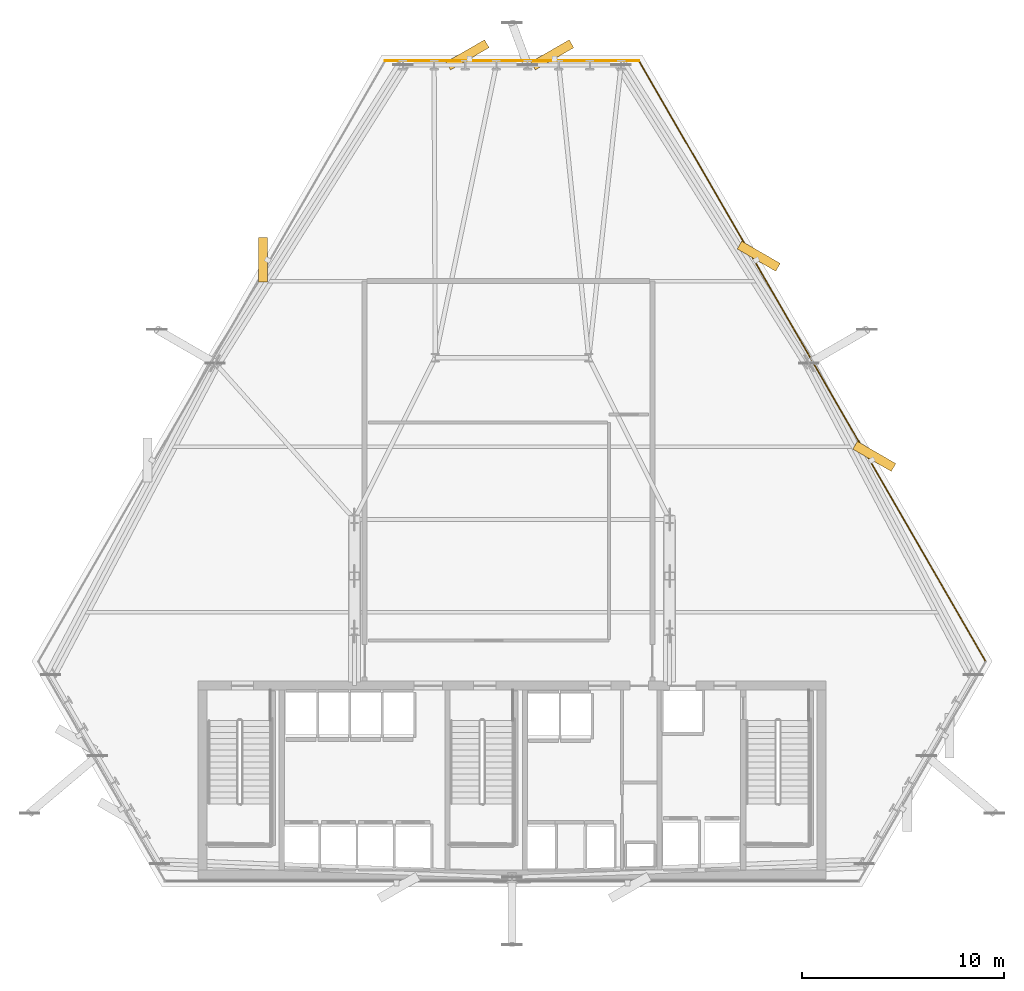
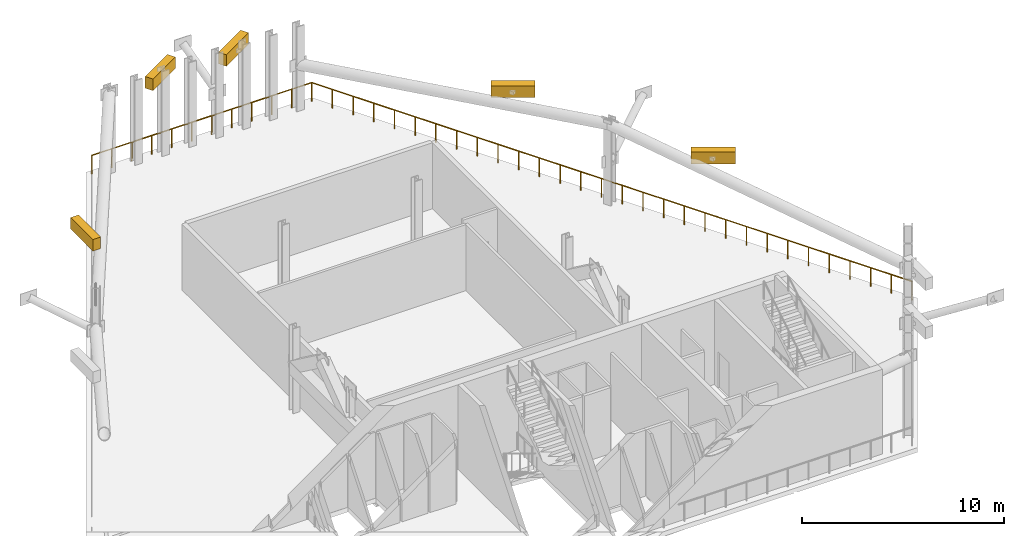
# One storey, part 11 of 11: 5 shading devices, 2 railings.
"""IFC4 building model written with IfcOpenShell, lengths in metres."""

import ifcopenshell
import ifcopenshell.guid

model = None  # the IFC model being written
_history = None  # IfcOwnerHistory: only IFC2X3 demands one
_inside = {}  # id of a spatial element -> (the spatial element, [elements in it])
_under = {}  # id of a project, library or spatial element -> (it, [spatial elements below it])
_declared = {}  # id of a project -> (the project, [libraries it declares])
_typed = {}  # id of a type object -> (the type object, [elements of that type])
_made_of = {}  # id of a material, layer set ... -> (it, [elements and type objects made of it])


def new_model(schema):
    """Start an empty IFC model of exactly this schema.

    Asked for "IFC4X3", IfcOpenShell would pick the latest addendum, in which some entities
    have other attributes; the version numbers below select the first issue.
    IFC2X3 requires an IfcOwnerHistory on every rooted entity: one is made here for all.
    """
    global model, _history
    if schema == "IFC4X3":
        model = ifcopenshell.file(schema_version=(4, 3, 0, 0))
    else:
        model = ifcopenshell.file(schema=schema)
    _inside.clear()
    _under.clear()
    _declared.clear()
    _typed.clear()
    _made_of.clear()
    _history = None
    if model.schema == "IFC2X3":
        org = make("IfcOrganization", Name="unknown")
        user = make(
            "IfcPersonAndOrganization",
            ThePerson=make("IfcPerson", FamilyName="unknown"),
            TheOrganization=org,
        )
        app = make(
            "IfcApplication",
            ApplicationDeveloper=org,
            Version="unknown",
            ApplicationFullName="unknown",
            ApplicationIdentifier="unknown",
        )
        _history = make(
            "IfcOwnerHistory",
            OwningUser=user,
            OwningApplication=app,
            ChangeAction="ADDED",
            CreationDate=0,
        )
    return model


def make(cls, **values):
    """One entity of the class cls with the attributes given. An attribute that is None is left unset."""
    return model.create_entity(
        cls, **{name: value for name, value in values.items() if value is not None}
    )


def rooted(cls, **values):
    """An entity with a GlobalId (a new one), such as an element, a storey or a relation."""
    return make(cls, GlobalId=ifcopenshell.guid.new(), OwnerHistory=_history, **values)


def si_unit(unit_type, name, prefix=None):
    """IfcSIUnit, for example si_unit("LENGTHUNIT", "METRE", prefix="MILLI")."""
    return make("IfcSIUnit", UnitType=unit_type, Prefix=prefix, Name=name)


def assignment(units):
    """IfcUnitAssignment: the units of a project."""
    return None if units is None else make("IfcUnitAssignment", Units=units)


def point(xyz):
    """IfcCartesianPoint."""
    return None if xyz is None else make("IfcCartesianPoint", Coordinates=xyz)


def direction(xyz):
    """IfcDirection."""
    return None if xyz is None else make("IfcDirection", DirectionRatios=xyz)


def frame(location, z_axis=None, x_axis=None):
    """IfcAxis2Placement3D, a coordinate frame: its origin and axes. An axis left out is left unset."""
    return make(
        "IfcAxis2Placement3D",
        Location=point(location),
        Axis=direction(z_axis),
        RefDirection=direction(x_axis),
    )


def frame_2d(location, x_axis=None):
    """IfcAxis2Placement2D, a coordinate frame in the plane: its origin and x axis."""
    return make(
        "IfcAxis2Placement2D", Location=point(location), RefDirection=direction(x_axis)
    )


def origin():
    """The frame at (0, 0, 0) with its axes left unset."""
    return frame((0.0, 0.0, 0.0))


def origin_2d():
    """The frame at (0, 0) in the plane with its x axis left unset."""
    return frame_2d((0.0, 0.0))


def place(relative_to, where):
    """IfcLocalPlacement: puts the frame where relative to a parent placement (None: the world)."""
    return make(
        "IfcLocalPlacement", PlacementRelTo=relative_to, RelativePlacement=where
    )


def context(
    kind, dimensions, precision=None, world=None, true_north=None, identifier=None
):
    """IfcGeometricRepresentationContext, for example the 3D "Model" context."""
    return make(
        "IfcGeometricRepresentationContext",
        ContextIdentifier=identifier,
        ContextType=kind,
        CoordinateSpaceDimension=dimensions,
        Precision=precision,
        WorldCoordinateSystem=world,
        TrueNorth=true_north,
    )


def subcontext(parent, identifier, kind, view, scale=None):
    """IfcGeometricRepresentationSubContext, for example "Body" below "Model"."""
    return make(
        "IfcGeometricRepresentationSubContext",
        ContextIdentifier=identifier,
        ContextType=kind,
        ParentContext=parent,
        TargetScale=scale,
        TargetView=view,
    )


def project(units=None, contexts=None):
    """IfcProject with its units and contexts."""
    return rooted(
        "IfcProject",
        Name="project",
        RepresentationContexts=contexts,
        UnitsInContext=assignment(units),
    )


def spatial(cls, under=None, at=None, **own):
    """A site, building, storey or space (cls), placed at a placement, below another one or the project."""
    s = rooted(cls, ObjectPlacement=at, **own)
    if under is not None:
        _under.setdefault(under.id(), (under, []))[1].append(s)
    return s


def profile(cls, at=None, kind="AREA", **sizes):
    """A parametric profile (cls). Its sizes go by their IFC names, for example OverallWidth=200.0."""
    return make(cls, ProfileType=kind, Position=at, **sizes)


def rectangle(**sizes):
    """IfcRectangleProfileDef."""
    return profile("IfcRectangleProfileDef", **sizes)


def circle(**sizes):
    """IfcCircleProfileDef."""
    return profile("IfcCircleProfileDef", **sizes)


def extrude(swept, where, along, depth):
    """IfcExtrudedAreaSolid: the profile swept, set in the frame where, extruded along a direction by depth."""
    return make(
        "IfcExtrudedAreaSolid",
        SweptArea=swept,
        Position=where,
        ExtrudedDirection=direction(along),
        Depth=depth,
    )


def shape(context_of_items, identifier, shape_type, items):
    """IfcShapeRepresentation: the items that make up one representation, for example the "Body"."""
    return make(
        "IfcShapeRepresentation",
        ContextOfItems=context_of_items,
        RepresentationIdentifier=identifier,
        RepresentationType=shape_type,
        Items=items,
    )


def material(Name=None, Category=None):
    """IfcMaterial."""
    return make("IfcMaterial", Name=Name, Category=Category)


def layer(
    of_material, thickness, ventilated=None, Name=None, Category=None, Priority=None
):
    """IfcMaterialLayer: one layer of a wall or slab, of a material (None: an air gap)."""
    return make(
        "IfcMaterialLayer",
        Material=of_material,
        LayerThickness=thickness,
        IsVentilated=ventilated,
        Name=Name,
        Category=Category,
        Priority=Priority,
    )


def layer_set(layers, Name=None):
    """IfcMaterialLayerSet."""
    return make("IfcMaterialLayerSet", MaterialLayers=layers, LayerSetName=Name)


def made_of(thing, what):
    """Note that an element or type object is made of a material, layer set ...; save() writes the relation."""
    if what is not None:
        _made_of.setdefault(what.id(), (what, []))[1].append(thing)
    return thing


def type_object(cls, material=None, **own):
    """A type object (cls), such as IfcWallType, which elements share."""
    return made_of(rooted(cls, **own), material)


def element(
    cls,
    number,
    at=None,
    inside=None,
    cuts=None,
    type_object=None,
    material=None,
    context=None,
    identifier="Body",
    shape_type=None,
    held_by="IfcProductDefinitionShape",
    body=None,
    shapes=None,
    **own,
):
    """One element of the class cls, such as IfcWall. Its Tag is "e" and its number.

    at: its placement. inside: the storey or other place that contains it. cuts: it is an
    opening in that element (IfcRelVoidsElement). A single representation is given by context,
    identifier, shape_type and body (its items); several are given by shapes. held_by: the class
    of the entity that holds the representations. save() writes the other relations.
    """
    e = rooted(cls, Tag="e%d" % number, ObjectPlacement=at, **own)
    if body is not None:
        shapes = [shape(context, identifier, shape_type, body)]
    if shapes is not None:
        e.Representation = make(held_by, Representations=shapes)
    if inside is not None:
        _inside.setdefault(inside.id(), (inside, []))[1].append(e)
    if cuts is not None:
        rooted(
            "IfcRelVoidsElement", RelatingBuildingElement=cuts, RelatedOpeningElement=e
        )
    if type_object is not None:
        _typed.setdefault(type_object.id(), (type_object, []))[1].append(e)
    return made_of(e, material)


def aggregate(whole, parts):
    """IfcRelAggregates: a whole, such as a stair, and the parts it consists of."""
    return rooted("IfcRelAggregates", RelatingObject=whole, RelatedObjects=parts)


def save(model, path):
    """Write the relations noted so far, then the file.

    IfcRelAggregates (storeys below a building ...), IfcRelContainedInSpatialStructure (elements
    in a storey), IfcRelDefinesByType, IfcRelAssociatesMaterial and IfcRelDeclares: one each for
    every whole, place, type object, material and project.
    """
    for whole, parts in _under.values():
        aggregate(whole, parts)
    for where, things in _inside.values():
        rooted(
            "IfcRelContainedInSpatialStructure",
            RelatedElements=things,
            RelatingStructure=where,
        )
    for kind, things in _typed.values():
        rooted("IfcRelDefinesByType", RelatedObjects=things, RelatingType=kind)
    for what, things in _made_of.values():
        rooted("IfcRelAssociatesMaterial", RelatedObjects=things, RelatingMaterial=what)
    for by, libraries in _declared.values():
        rooted("IfcRelDeclares", RelatingContext=by, RelatedDefinitions=libraries)
    model.write(path)


model = new_model("IFC4")

# Units and contexts
model_context = context("Model", 3, precision=1e-05, world=origin(), true_north=direction((0.0, 1.0)))
body_context = subcontext(model_context, "Body", "Model", "MODEL_VIEW")
ifc_project = project(units=[si_unit("LENGTHUNIT", "METRE"), si_unit("AREAUNIT", "SQUARE_METRE"), si_unit("VOLUMEUNIT", "CUBIC_METRE"), si_unit("PLANEANGLEUNIT", "RADIAN"), si_unit("MASSUNIT", "GRAM", prefix="KILO")], contexts=[model_context])

# Site, building, storey
site_placement = place(None, origin())
site = spatial("IfcSite", under=ifc_project, at=site_placement, CompositionType="ELEMENT")
building_placement = place(site_placement, origin())
building = spatial("IfcBuilding", under=site, at=building_placement, Name="Ndaravel Arena Tower", CompositionType="ELEMENT")
storey_placement = place(building_placement, frame((0.0, 0.0, 112.0)))
storey = spatial("IfcBuildingStorey", under=building, at=storey_placement, Name="L26", CompositionType="ELEMENT", Elevation=112.0)

# Railings
ifc_material_1 = material(Name="Glazing", Category="glass")
ifc_layer = layer(ifc_material_1, 0.070068359375)
ifc_layer_set = layer_set([ifc_layer], Name="Glazing")
railing_type = type_object("IfcRailingType", Name="RAIL-TERRACE-1150", PredefinedType="BALUSTRADE", material=ifc_layer_set)
railing_1_placement = place(storey_placement, frame((65.454345703125, 16.172607421875, 0.0)))
element("IfcRailing", 1, at=railing_1_placement, inside=storey, type_object=railing_type, Name="L26 Open Wind Floor Perimeter Guard 3", PredefinedType="BALUSTRADE", context=body_context, shape_type="SweptSolid", body=[
    extrude(circle(Radius=0.02392578125, at=origin_2d()), frame((0.0, 0.0, 1.1259765625), z_axis=(-0.500001515888, 0.866024528585, 0.0), x_axis=(-0.866024528585, -0.500001515888, 0.0)), (0.0, 0.0, 1.0), 34.3310546875),
    extrude(circle(Radius=0.02099609375, at=origin_2d()), origin(), (0.0, 0.0, 1.0), 1.101806640625),
    extrude(circle(Radius=0.02099609375, at=origin_2d()), frame((-0.591796875, 1.025146484375, 0.0)), (0.0, 0.0, 1.0), 1.101806640625),
    extrude(circle(Radius=0.02099609375, at=origin_2d()), frame((-1.183837890625, 2.050537109375, 0.0)), (0.0, 0.0, 1.0), 1.101806640625),
    extrude(circle(Radius=0.02099609375, at=origin_2d()), frame((-1.775634765625, 3.07568359375, 0.0)), (0.0, 0.0, 1.0), 1.101806640625),
    extrude(circle(Radius=0.02099609375, at=origin_2d()), frame((-2.36767578125, 4.100830078125, 0.0)), (0.0, 0.0, 1.0), 1.101806640625),
    extrude(circle(Radius=0.02099609375, at=origin_2d()), frame((-2.95947265625, 5.126220703125, 0.0)), (0.0, 0.0, 1.0), 1.101806640625),
    extrude(circle(Radius=0.02099609375, at=origin_2d()), frame((-3.551513671875, 6.1513671875, 0.0)), (0.0, 0.0, 1.0), 1.101806640625),
    extrude(circle(Radius=0.02099609375, at=origin_2d()), frame((-4.143310546875, 7.176513671875, 0.0)), (0.0, 0.0, 1.0), 1.101806640625),
    extrude(circle(Radius=0.02099609375, at=origin_2d()), frame((-4.7353515625, 8.20166015625, 0.0)), (0.0, 0.0, 1.0), 1.101806640625),
    extrude(circle(Radius=0.02099609375, at=origin_2d()), frame((-5.3271484375, 9.22705078125, 0.0)), (0.0, 0.0, 1.0), 1.101806640625),
    extrude(circle(Radius=0.02099609375, at=origin_2d()), frame((-5.919189453125, 10.252197265625, 0.0)), (0.0, 0.0, 1.0), 1.101806640625),
    extrude(circle(Radius=0.02099609375, at=origin_2d()), frame((-6.510986328125, 11.27734375, 0.0)), (0.0, 0.0, 1.0), 1.101806640625),
    extrude(circle(Radius=0.02099609375, at=origin_2d()), frame((-7.10302734375, 12.302734375, 0.0)), (0.0, 0.0, 1.0), 1.101806640625),
    extrude(circle(Radius=0.02099609375, at=origin_2d()), frame((-7.69482421875, 13.327880859375, 0.0)), (0.0, 0.0, 1.0), 1.101806640625),
    extrude(circle(Radius=0.02099609375, at=origin_2d()), frame((-8.286865234375, 14.35302734375, 0.0)), (0.0, 0.0, 1.0), 1.101806640625),
    extrude(circle(Radius=0.02099609375, at=origin_2d()), frame((-8.878662109375, 15.37841796875, 0.0)), (0.0, 0.0, 1.0), 1.101806640625),
    extrude(circle(Radius=0.02099609375, at=origin_2d()), frame((-9.470703125, 16.403564453125, 0.0)), (0.0, 0.0, 1.0), 1.101806640625),
    extrude(circle(Radius=0.02099609375, at=origin_2d()), frame((-10.0625, 17.4287109375, 0.0)), (0.0, 0.0, 1.0), 1.101806640625),
    extrude(circle(Radius=0.02099609375, at=origin_2d()), frame((-10.654541015625, 18.4541015625, 0.0)), (0.0, 0.0, 1.0), 1.101806640625),
    extrude(circle(Radius=0.02099609375, at=origin_2d()), frame((-11.246337890625, 19.479248046875, 0.0)), (0.0, 0.0, 1.0), 1.101806640625),
    extrude(circle(Radius=0.02099609375, at=origin_2d()), frame((-11.83837890625, 20.50439453125, 0.0)), (0.0, 0.0, 1.0), 1.101806640625),
    extrude(circle(Radius=0.02099609375, at=origin_2d()), frame((-12.43017578125, 21.52978515625, 0.0)), (0.0, 0.0, 1.0), 1.101806640625),
    extrude(circle(Radius=0.02099609375, at=origin_2d()), frame((-13.022216796875, 22.554931640625, 0.0)), (0.0, 0.0, 1.0), 1.101806640625),
    extrude(circle(Radius=0.02099609375, at=origin_2d()), frame((-13.614013671875, 23.580078125, 0.0)), (0.0, 0.0, 1.0), 1.101806640625),
    extrude(circle(Radius=0.02099609375, at=origin_2d()), frame((-14.2060546875, 24.605224609375, 0.0)), (0.0, 0.0, 1.0), 1.101806640625),
    extrude(circle(Radius=0.02099609375, at=origin_2d()), frame((-14.7978515625, 25.630615234375, 0.0)), (0.0, 0.0, 1.0), 1.101806640625),
    extrude(circle(Radius=0.02099609375, at=origin_2d()), frame((-15.389892578125, 26.65576171875, 0.0)), (0.0, 0.0, 1.0), 1.101806640625),
    extrude(circle(Radius=0.02099609375, at=origin_2d()), frame((-15.981689453125, 27.680908203125, 0.0)), (0.0, 0.0, 1.0), 1.101806640625),
    extrude(circle(Radius=0.02099609375, at=origin_2d()), frame((-16.57373046875, 28.706298828125, 0.0)), (0.0, 0.0, 1.0), 1.101806640625),
    extrude(circle(Radius=0.02099609375, at=origin_2d()), frame((-17.16552734375, 29.7314453125, 0.0)), (0.0, 0.0, 1.0), 1.101806640625),
])
railing_2_placement = place(storey_placement, frame((48.288818359375, 45.904052734375, 0.0)))
element("IfcRailing", 2, at=railing_2_placement, inside=storey, type_object=railing_type, Name="L26 Open Wind Floor Perimeter Guard 4", PredefinedType="BALUSTRADE", context=body_context, shape_type="SweptSolid", body=[
    extrude(circle(Radius=0.02392578125, at=origin_2d()), frame((0.0, 0.0, 1.1259765625), z_axis=(-1.0, 0.0, 0.0), x_axis=(0.0, -1.0, 0.0)), (0.0, 0.0, 1.0), 12.57763671875),
    extrude(circle(Radius=0.02099609375, at=origin_2d()), origin(), (0.0, 0.0, 1.0), 1.101806640625),
    extrude(circle(Radius=0.02099609375, at=origin_2d()), frame((-1.143310546875, 0.0, 0.0)), (0.0, 0.0, 1.0), 1.101806640625),
    extrude(circle(Radius=0.02099609375, at=origin_2d()), frame((-2.286865234375, 0.0, 0.0)), (0.0, 0.0, 1.0), 1.101806640625),
    extrude(circle(Radius=0.02099609375, at=origin_2d()), frame((-3.43017578125, 0.0, 0.0)), (0.0, 0.0, 1.0), 1.101806640625),
    extrude(circle(Radius=0.02099609375, at=origin_2d()), frame((-4.57373046875, 0.0, 0.0)), (0.0, 0.0, 1.0), 1.101806640625),
    extrude(circle(Radius=0.02099609375, at=origin_2d()), frame((-5.717041015625, 0.0, 0.0)), (0.0, 0.0, 1.0), 1.101806640625),
    extrude(circle(Radius=0.02099609375, at=origin_2d()), frame((-6.860595703125, 0.0, 0.0)), (0.0, 0.0, 1.0), 1.101806640625),
    extrude(circle(Radius=0.02099609375, at=origin_2d()), frame((-8.00390625, 0.0, 0.0)), (0.0, 0.0, 1.0), 1.101806640625),
    extrude(circle(Radius=0.02099609375, at=origin_2d()), frame((-9.1474609375, 0.0, 0.0)), (0.0, 0.0, 1.0), 1.101806640625),
    extrude(circle(Radius=0.02099609375, at=origin_2d()), frame((-10.290771484375, 0.0, 0.0)), (0.0, 0.0, 1.0), 1.101806640625),
    extrude(circle(Radius=0.02099609375, at=origin_2d()), frame((-11.434326171875, 0.0, 0.0)), (0.0, 0.0, 1.0), 1.101806640625),
    extrude(circle(Radius=0.02099609375, at=origin_2d()), frame((-12.57763671875, 0.0, 0.0)), (0.0, 0.0, 1.0), 1.101806640625),
])

# Shading devices
ifc_material_2 = material(Name="Aluminium", Category="aluminium")
shading_device_type = type_object("IfcShadingDeviceType", Name="SHD-WIND-LOUVRE", PredefinedType="JALOUSIE", material=ifc_material_2)
for number, where, z_axis, x_axis, name in (
    (3, (59.93994140625, 26.322265625, 4.169921875), (0.0, 0.0, 1.0), (0.5, 0.866025403784, 0.0), "L26 Wind-Floor Acoustic Louvre 3.1"),
    (4, (54.218017578125, 36.23291015625, 4.169921875), (0.0, 0.0, 1.0), (0.5, 0.866025403784, 0.0), "L26 Wind-Floor Acoustic Louvre 3.2"),
    (5, (43.992919921875, 46.203369140625, 4.169921875), (0.0, 0.0, 1.0), (-0.5, 0.866025403784, 0.0), "L26 Wind-Floor Acoustic Louvre 4.1"),
    (6, (39.80029296875, 46.203369140625, 4.169921875), (0.0, 0.0, 1.0), (-0.5, 0.866025403784, 0.0), "L26 Wind-Floor Acoustic Louvre 4.2"),
    (7, (29.678466796875, 36.053466796875, 4.169921875), (0.0, 0.0, 1.0), (-1.0, 0.0, 0.0), "L26 Wind-Floor Acoustic Louvre 5.1"),
):
    element("IfcShadingDevice", number, at=place(storey_placement, frame(where, z_axis=z_axis, x_axis=x_axis)), inside=storey, type_object=shading_device_type, Name=name, PredefinedType="JALOUSIE", context=body_context, shape_type="SweptSolid", body=[
        extrude(rectangle(XDim=0.449951171875, YDim=2.199951171875, at=origin_2d()), origin(), (0.0, 0.0, 1.0), 0.699951171875),
    ])

save(model, "model.ifc")
